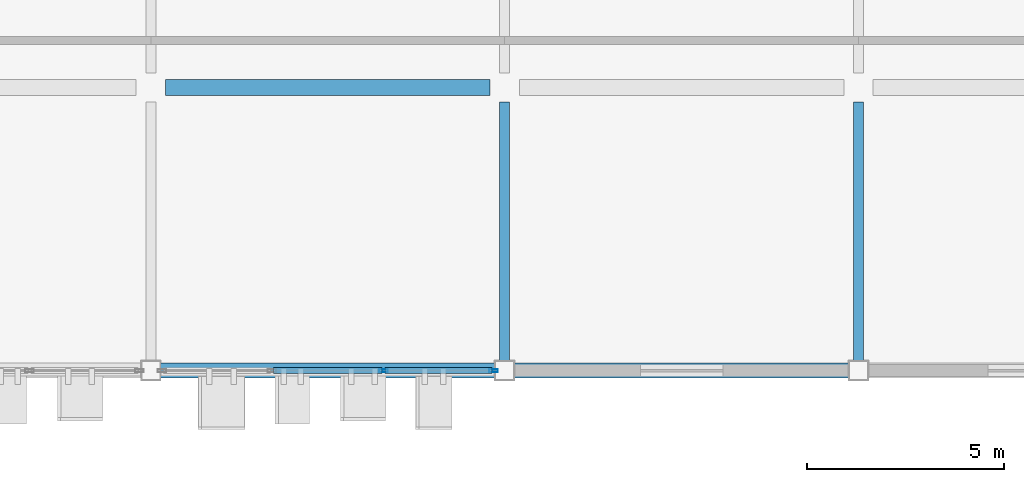
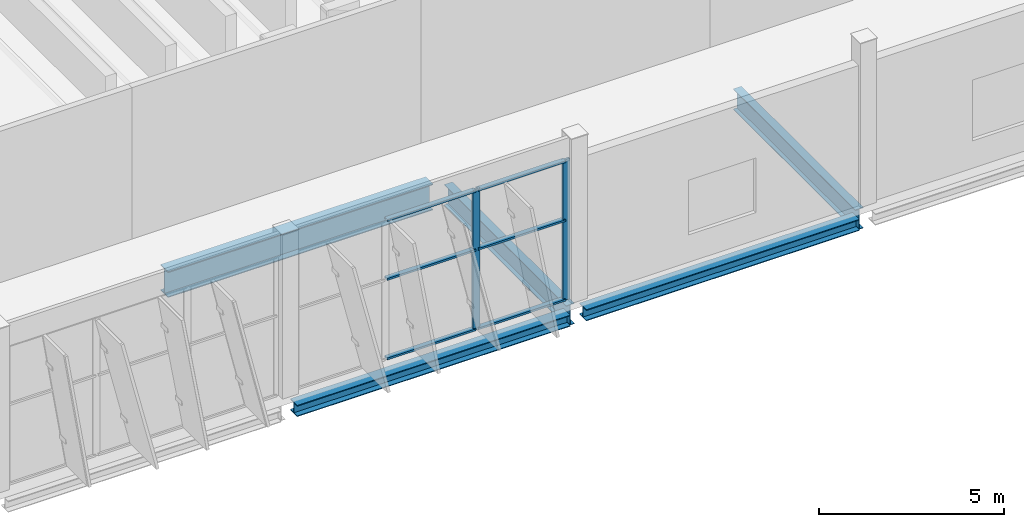
# One storey, part 81 of 189: 8 members, 5 beams, 1 element without a shape of its own.
"""IFC4 building model written with IfcOpenShell, lengths in metres."""

from ifc_helpers import new_model, si_unit, direction, frame, origin, origin_2d, place, context, subcontext, project, spatial, hollow_rectangle, i_section, extrude, material, layer, layer_set, material_profile, profile_set, type_object, element, aggregate, save


model = new_model("IFC4")

# Units and contexts
model_context = context("Model", 3, precision=1e-05, world=origin(), true_north=direction((0.0, 1.0)))
body_context = subcontext(model_context, "Body", "Model", "MODEL_VIEW")
ifc_project = project(units=[si_unit("LENGTHUNIT", "METRE"), si_unit("AREAUNIT", "SQUARE_METRE"), si_unit("VOLUMEUNIT", "CUBIC_METRE"), si_unit("PLANEANGLEUNIT", "RADIAN"), si_unit("MASSUNIT", "GRAM", prefix="KILO")], contexts=[model_context])

# Site, building, storey
site_placement = place(None, origin())
site = spatial("IfcSite", under=ifc_project, at=site_placement, CompositionType="ELEMENT")
building_placement = place(site_placement, origin())
building = spatial("IfcBuilding", under=site, at=building_placement, Name="Celestram Park Convention Centre", CompositionType="ELEMENT")
storey_placement = place(building_placement, frame((0.0, 0.0, 5.39990234375)))
storey = spatial("IfcBuildingStorey", under=building, at=storey_placement, Name="L01", CompositionType="ELEMENT", Elevation=5.39990234375)

# Curtain wall, members
ifc_material_1 = material(Name="Anodised Aluminium Alloy 6063-T6", Category="aluminium")
ifc_layer = layer(ifc_material_1, 0.179931640625)
ifc_layer_set = layer_set([ifc_layer], Name="Anodised Aluminium Alloy 6063-T6")
curtain_wall_type = type_object("IfcCurtainWallType", Name="ARC-CW-850X462", PredefinedType="NOTDEFINED", material=ifc_layer_set)
curtain_wall_placement = place(storey_placement, origin())
curtain_wall = element("IfcCurtainWall", 1, at=curtain_wall_placement, inside=storey, type_object=curtain_wall_type, Name="Unitised curtain wall CU-L01-081", PredefinedType="NOTDEFINED")
ifc_material_profile_1 = material_profile(ifc_material_1, hollow_rectangle(XDim=0.074951171875, YDim=0.219970703125, WallThickness=0.00390625, at=origin_2d()), Name="ALU75X220X4")
ifc_profile_set_1 = profile_set([ifc_material_profile_1], Name="Anodised Aluminium Alloy 6063-T6")
member_type_1 = type_object("IfcMemberType", Name="ARC-CWM-180", PredefinedType="MULLION", material=ifc_profile_set_1)
member_1_placement = place(storey_placement, frame((179.714599609375, 115.199951171875, 0.0), z_axis=(0.0, 0.0, 1.0), x_axis=(0.0, -1.0, 0.0)))
member_1 = element("IfcMember", 2, at=member_1_placement, type_object=member_type_1, Name="CW-85X46 mullion 1", PredefinedType="MULLION", context=body_context, shape_type="SweptSolid", body=[
    extrude(hollow_rectangle(XDim=0.074951171875, YDim=0.219970703125, WallThickness=0.00390625, at=origin_2d()), origin(), (0.0, 0.0, 1.0), 4.6240234375),
])
member_2_placement = place(storey_placement, frame((176.917236328125, 115.199951171875, 0.0), z_axis=(0.0, 0.0, 1.0), x_axis=(0.0, -1.0, 0.0)))
member_2 = element("IfcMember", 3, at=member_2_placement, type_object=member_type_1, Name="CW-85X46 mullion 2", PredefinedType="MULLION", context=body_context, shape_type="SweptSolid", body=[
    extrude(hollow_rectangle(XDim=0.074951171875, YDim=0.219970703125, WallThickness=0.00390625, at=origin_2d()), origin(), (0.0, 0.0, 1.0), 4.6240234375),
])
ifc_material_profile_2 = material_profile(ifc_material_1, hollow_rectangle(XDim=0.14990234375, YDim=0.06494140625, WallThickness=0.0029296875, at=origin_2d()), Name="ALU150X65X3")
ifc_profile_set_2 = profile_set([ifc_material_profile_2], Name="Anodised Aluminium Alloy 6063-T6")
member_type_2 = type_object("IfcMemberType", Name="ARC-CWT-150", PredefinedType="USERDEFINED", material=ifc_profile_set_2)
member_3_placement = place(storey_placement, frame((179.677001953125, 115.199951171875, 0.03271484375), z_axis=(-1.0, 0.0, 0.0), x_axis=(0.0, -1.0, 0.0)))
member_3 = element("IfcMember", 4, at=member_3_placement, type_object=member_type_2, Name="CW-85X46 transom 1.1", ObjectType="TRANSOM", PredefinedType="USERDEFINED", context=body_context, shape_type="SweptSolid", body=[
    extrude(hollow_rectangle(XDim=0.14990234375, YDim=0.06494140625, WallThickness=0.0029296875, at=origin_2d()), origin(), (0.0, 0.0, 1.0), 2.72216796875),
])
member_4_placement = place(storey_placement, frame((179.677001953125, 115.199951171875, 2.650146484375), z_axis=(-1.0, 0.0, 0.0), x_axis=(0.0, -1.0, 0.0)))
member_4 = element("IfcMember", 5, at=member_4_placement, type_object=member_type_2, Name="CW-85X46 transom 1.2", ObjectType="TRANSOM", PredefinedType="USERDEFINED", context=body_context, shape_type="SweptSolid", body=[
    extrude(hollow_rectangle(XDim=0.14990234375, YDim=0.06494140625, WallThickness=0.0029296875, at=origin_2d()), origin(), (0.0, 0.0, 1.0), 2.72216796875),
])
member_5_placement = place(storey_placement, frame((179.677001953125, 115.199951171875, 4.591552734375), z_axis=(-1.0, 0.0, 0.0), x_axis=(0.0, -1.0, 0.0)))
member_5 = element("IfcMember", 6, at=member_5_placement, type_object=member_type_2, Name="CW-85X46 transom 1.3", ObjectType="TRANSOM", PredefinedType="USERDEFINED", context=body_context, shape_type="SweptSolid", body=[
    extrude(hollow_rectangle(XDim=0.14990234375, YDim=0.06494140625, WallThickness=0.0029296875, at=origin_2d()), origin(), (0.0, 0.0, 1.0), 2.72216796875),
])
member_6_placement = place(storey_placement, frame((176.8798828125, 115.199951171875, 0.03271484375), z_axis=(-1.0, 0.0, 0.0), x_axis=(0.0, -1.0, 0.0)))
member_6 = element("IfcMember", 7, at=member_6_placement, type_object=member_type_2, Name="CW-85X46 transom 2.1", ObjectType="TRANSOM", PredefinedType="USERDEFINED", context=body_context, shape_type="SweptSolid", body=[
    extrude(hollow_rectangle(XDim=0.14990234375, YDim=0.06494140625, WallThickness=0.0029296875, at=origin_2d()), origin(), (0.0, 0.0, 1.0), 2.759765625),
])
member_7_placement = place(storey_placement, frame((176.8798828125, 115.199951171875, 2.650146484375), z_axis=(-1.0, 0.0, 0.0), x_axis=(0.0, -1.0, 0.0)))
member_7 = element("IfcMember", 8, at=member_7_placement, type_object=member_type_2, Name="CW-85X46 transom 2.2", ObjectType="TRANSOM", PredefinedType="USERDEFINED", context=body_context, shape_type="SweptSolid", body=[
    extrude(hollow_rectangle(XDim=0.14990234375, YDim=0.06494140625, WallThickness=0.0029296875, at=origin_2d()), origin(), (0.0, 0.0, 1.0), 2.759765625),
])
member_8_placement = place(storey_placement, frame((176.8798828125, 115.199951171875, 4.591552734375), z_axis=(-1.0, 0.0, 0.0), x_axis=(0.0, -1.0, 0.0)))
member_8 = element("IfcMember", 9, at=member_8_placement, type_object=member_type_2, Name="CW-85X46 transom 2.3", ObjectType="TRANSOM", PredefinedType="USERDEFINED", context=body_context, shape_type="SweptSolid", body=[
    extrude(hollow_rectangle(XDim=0.14990234375, YDim=0.06494140625, WallThickness=0.0029296875, at=origin_2d()), origin(), (0.0, 0.0, 1.0), 2.759765625),
])
aggregate(curtain_wall, [member_1, member_2, member_3, member_4, member_5, member_6, member_7, member_8])

# Beams
ifc_material_2 = material(Name="Steel ASTM A992 Grade 50", Category="steel")
ifc_material_profile_3 = material_profile(ifc_material_2, i_section(OverallWidth=0.25390625, OverallDepth=0.68310546875, WebThickness=0.012451171875, FlangeThickness=0.01904296875, at=origin_2d()), Name="W27X94")
ifc_profile_set_3 = profile_set([ifc_material_profile_3], Name="Steel ASTM A992 Grade 50")
beam_type_1 = type_object("IfcBeamType", Name="STR-BM-W27X94", PredefinedType="BEAM", material=ifc_profile_set_3)
for number, where, z_axis, x_axis, name in (
    (10, (180.0, 115.447998046875, -0.761474609375), (0.0, 1.0, 0.0), (-1.0, 0.0, 0.0), "Primary Y-girder BG-L01-0446"),
    (11, (189.0, 115.447998046875, -0.761474609375), (0.0, 1.0, 0.0), (-1.0, 0.0, 0.0), "Primary Y-girder BG-L01-0472"),
):
    element("IfcBeam", number, at=place(storey_placement, frame(where, z_axis=z_axis, x_axis=x_axis)), inside=storey, type_object=beam_type_1, Name=name, PredefinedType="BEAM", context=body_context, shape_type="SweptSolid", body=[
        extrude(i_section(OverallWidth=0.25390625, OverallDepth=0.68310546875, WebThickness=0.012451171875, FlangeThickness=0.01904296875, at=origin_2d()), origin(), (0.0, 0.0, 1.0), 6.5791015625),
    ])
ifc_material_profile_4 = material_profile(ifc_material_2, i_section(OverallWidth=0.40087890625, OverallDepth=0.85595703125, WebThickness=0.018310546875, FlangeThickness=0.029296875, at=origin_2d()), Name="W33X201")
ifc_profile_set_4 = profile_set([ifc_material_profile_4], Name="Steel ASTM A992 Grade 50")
beam_type_2 = type_object("IfcBeamType", Name="STR-BM-W33X201", PredefinedType="BEAM", material=ifc_profile_set_4)
beam_placement = place(storey_placement, frame((171.373046875, 122.39990234375, -0.847900390625), z_axis=(1.0, 0.0, 0.0), x_axis=(0.0, 1.0, 0.0)))
element("IfcBeam", 12, at=beam_placement, inside=storey, type_object=beam_type_2, Name="Primary X-girder BG-L01-0421", PredefinedType="BEAM", context=body_context, shape_type="SweptSolid", body=[
    extrude(i_section(OverallWidth=0.40087890625, OverallDepth=0.85595703125, WebThickness=0.018310546875, FlangeThickness=0.029296875, at=origin_2d()), origin(), (0.0, 0.0, 1.0), 8.25390625),
])
ifc_material_profile_5 = material_profile(ifc_material_2, i_section(OverallWidth=0.373046875, OverallDepth=0.373046875, WebThickness=0.016357421875, FlangeThickness=0.026123046875, at=origin_2d()), Name="W14X132")
ifc_profile_set_5 = profile_set([ifc_material_profile_5], Name="Steel ASTM A992 Grade 50")
beam_type_3 = type_object("IfcBeamType", Name="STR-SPN-W14X132", PredefinedType="SPANDREL", material=ifc_profile_set_5)
for number, where, z_axis, x_axis, name in (
    (13, (171.248046875, 115.199951171875, -0.6064453125), (1.0, 0.0, 0.0), (0.0, 1.0, 0.0), "Primary X-girder BG-L01-0419"),
    (14, (180.248046875, 115.199951171875, -0.6064453125), (1.0, 0.0, 0.0), (0.0, 1.0, 0.0), "Primary X-girder BG-L01-0445"),
):
    element("IfcBeam", number, at=place(storey_placement, frame(where, z_axis=z_axis, x_axis=x_axis)), inside=storey, type_object=beam_type_3, Name=name, PredefinedType="SPANDREL", context=body_context, shape_type="SweptSolid", body=[
        extrude(i_section(OverallWidth=0.373046875, OverallDepth=0.373046875, WebThickness=0.016357421875, FlangeThickness=0.026123046875, at=origin_2d()), origin(), (0.0, 0.0, 1.0), 8.50390625),
    ])

save(model, "model.ifc")
